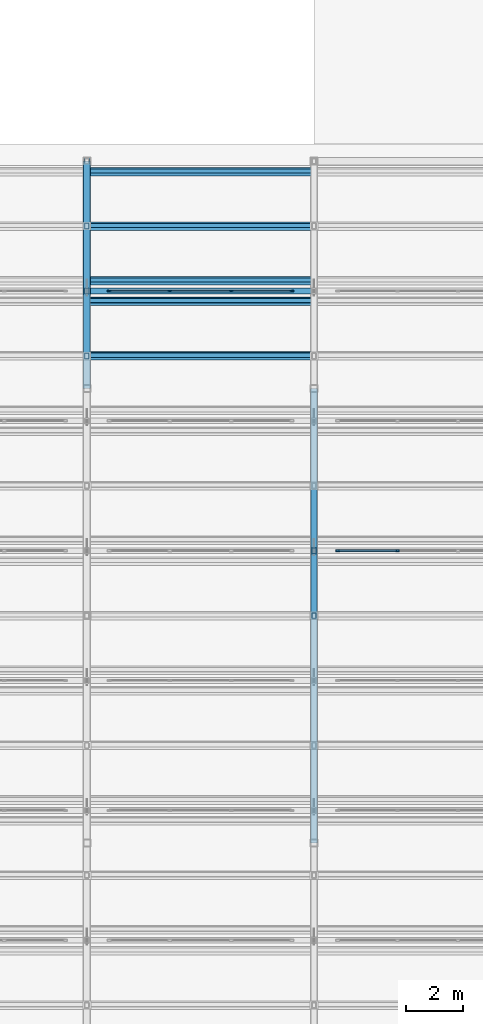
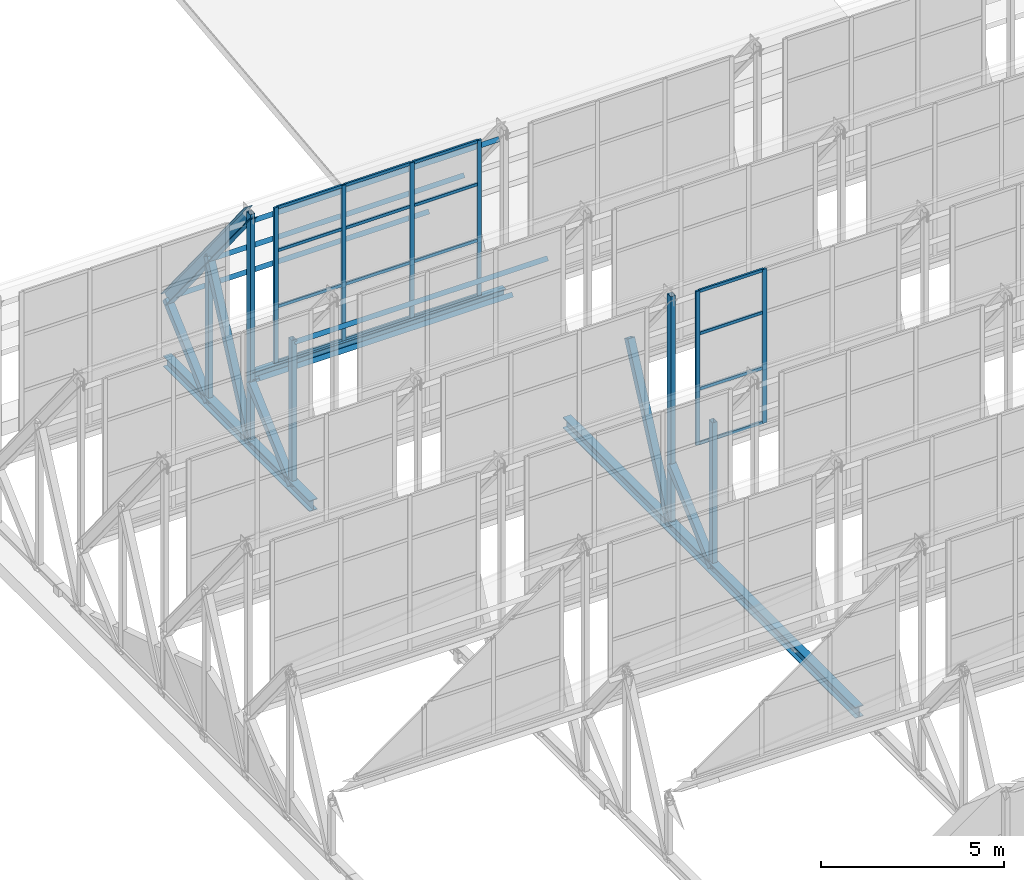
# One storey, part 15 of 34: 38 members, 3 beams, 2 elements without a shape of their own.
"""IFC4 building model written with IfcOpenShell, lengths in metres."""

from ifc_helpers import new_model, si_unit, direction, frame, origin, origin_2d, place, context, subcontext, project, spatial, rectangle, hollow_rectangle, i_section, extrude, material, layer, layer_set, material_profile, profile_set, type_object, element, aggregate, save


model = new_model("IFC4")

# Units and contexts
model_context = context("Model", 3, precision=1e-05, world=origin(), true_north=direction((0.0, 1.0)))
body_context = subcontext(model_context, "Body", "Model", "MODEL_VIEW")
ifc_project = project(units=[si_unit("LENGTHUNIT", "METRE"), si_unit("AREAUNIT", "SQUARE_METRE"), si_unit("VOLUMEUNIT", "CUBIC_METRE"), si_unit("PLANEANGLEUNIT", "RADIAN"), si_unit("MASSUNIT", "GRAM", prefix="KILO")], contexts=[model_context])

# Site, building, storey
site_placement = place(None, origin())
site = spatial("IfcSite", under=ifc_project, at=site_placement, CompositionType="ELEMENT")
building_placement = place(site_placement, origin())
building = spatial("IfcBuilding", under=site, at=building_placement, Name="Qorikala Patio Media Centre", CompositionType="ELEMENT")
storey_placement = place(building_placement, frame((0.0, 0.0, 32.699951171875)))
storey = spatial("IfcBuildingStorey", under=building, at=storey_placement, Name="RF", CompositionType="ELEMENT", Elevation=32.699951171875)

# Members
ifc_material_1 = material(Name="Steel S355", Category="steel")
ifc_material_profile_1 = material_profile(ifc_material_1, hollow_rectangle(XDim=0.219970703125, YDim=0.219970703125, WallThickness=0.010009765625, at=origin_2d()), Name="HSS220X220X10")
ifc_profile_set_1 = profile_set([ifc_material_profile_1], Name="Steel S355")
member_type_1 = type_object("IfcMemberType", Name="BRACE-HSS220", PredefinedType="BRACE", material=ifc_profile_set_1)
member_1_placement = place(storey_placement, frame((11.0, 28.142822265625, 0.35009765625), z_axis=(0.0, 0.744431778243, 0.667698530432), x_axis=(-1.0, 0.0, 0.0)))
element("IfcMember", 1, at=member_1_placement, inside=storey, type_object=member_type_1, Name="SAW-V1 Truss 2 Bay 6 Web Diagonal 2", PredefinedType="BRACE", context=body_context, shape_type="SweptSolid", body=[
    extrude(hollow_rectangle(XDim=0.219970703125, YDim=0.219970703125, WallThickness=0.010009765625, at=origin_2d()), origin(), (0.0, 0.0, 1.0), 3.0703125),
])
member_2_placement = place(storey_placement, frame((11.0, 30.4287109375, 0.35009765625), z_axis=(0.0, 0.424508225487, 0.905424081022), x_axis=(-1.0, 0.0, 0.0)))
element("IfcMember", 2, at=member_2_placement, inside=storey, type_object=member_type_1, Name="SAW-V1 Truss 2 Bay 7 Web Diagonal 1", PredefinedType="BRACE", context=body_context, shape_type="SweptSolid", body=[
    extrude(hollow_rectangle(XDim=0.219970703125, YDim=0.219970703125, WallThickness=0.010009765625, at=origin_2d()), origin(), (0.0, 0.0, 1.0), 5.38427734375),
])
for number, where, z_axis, x_axis, name in (
    (3, (11.0, 32.71435546875, 0.35009765625), (0.0, 0.744431778243, 0.667698530432), (-1.0, 0.0, 0.0), "SAW-V1 Truss 2 Bay 7 Web Diagonal 2"),
    (4, (19.0, 19.0, 0.35009765625), (0.0, 0.744431778243, 0.667698530432), (-1.0, 0.0, 0.0), "SAW-V1 Truss 3 Bay 4 Web Diagonal 2"),
):
    element("IfcMember", number, at=place(storey_placement, frame(where, z_axis=z_axis, x_axis=x_axis)), inside=storey, type_object=member_type_1, Name=name, PredefinedType="BRACE", context=body_context, shape_type="SweptSolid", body=[
        extrude(hollow_rectangle(XDim=0.219970703125, YDim=0.219970703125, WallThickness=0.010009765625, at=origin_2d()), origin(), (0.0, 0.0, 1.0), 3.0703125),
    ])
member_3_placement = place(storey_placement, frame((19.0, 21.28564453125, 0.35009765625), z_axis=(0.0, 0.424508225487, 0.905424081022), x_axis=(-1.0, 0.0, 0.0)))
element("IfcMember", 5, at=member_3_placement, inside=storey, type_object=member_type_1, Name="SAW-V1 Truss 3 Bay 5 Web Diagonal 1", PredefinedType="BRACE", context=body_context, shape_type="SweptSolid", body=[
    extrude(hollow_rectangle(XDim=0.219970703125, YDim=0.219970703125, WallThickness=0.010009765625, at=origin_2d()), origin(), (0.0, 0.0, 1.0), 5.38427734375),
])
ifc_material_profile_2 = material_profile(ifc_material_1, i_section(OverallWidth=0.257080078125, OverallDepth=0.363037109375, WebThickness=0.012939453125, FlangeThickness=0.021728515625, at=origin_2d()), Name="W360X122")
ifc_profile_set_2 = profile_set([ifc_material_profile_2], Name="Steel S355")
member_type_2 = type_object("IfcMemberType", Name="CHORD-W360X122", PredefinedType="CHORD", material=ifc_profile_set_2)
member_4_placement = place(storey_placement, frame((11.0, 30.4287109375, 8.050048828125), z_axis=(0.0, 0.628995268707, -0.777409127773), x_axis=(-1.0, 0.0, 0.0)))
element("IfcMember", 6, at=member_4_placement, inside=storey, type_object=member_type_2, Name="SAW-V1 Truss 2 Bay 7 Sloped Top Chord", PredefinedType="CHORD", context=body_context, shape_type="SweptSolid", body=[
    extrude(i_section(OverallWidth=0.257080078125, OverallDepth=0.363037109375, WebThickness=0.012939453125, FlangeThickness=0.021728515625, at=origin_2d()), origin(), (0.0, 0.0, 1.0), 7.267578125),
])

# Curtain wall, members
ifc_material_2 = material(Name="Bronze Anodised Aluminium and Low-E Glass", Category="aluminium")
ifc_layer_1 = layer(ifc_material_2, 0.159912109375)
ifc_layer_set_1 = layer_set([ifc_layer_1], Name="Bronze Anodised Aluminium and Low-E Glass")
curtain_wall_type_1 = type_object("IfcCurtainWallType", Name="CW-SAW-640X514", PredefinedType="USERDEFINED", material=ifc_layer_set_1)
curtain_wall_1_placement = place(storey_placement, origin())
curtain_wall_1 = element("IfcCurtainWall", 7, at=curtain_wall_1_placement, inside=storey, type_object=curtain_wall_type_1, Name="RF Sawtooth Glazing 129", ObjectType="SAWTOOTH GLAZING", PredefinedType="USERDEFINED")
ifc_material_3 = material(Name="Bronze Anodised Aluminium", Category="aluminium")
ifc_material_profile_3 = material_profile(ifc_material_3, rectangle(XDim=0.06005859375, YDim=0.1298828125, at=origin_2d()), Name="ALU MULLION 60x130")
ifc_profile_set_3 = profile_set([ifc_material_profile_3], Name="Bronze Anodised Aluminium")
member_type_3 = type_object("IfcMemberType", Name="CWM-60X130", PredefinedType="MULLION", material=ifc_profile_set_3)
member_5_placement = place(storey_placement, frame((19.830078125, 21.28564453125, 2.75), z_axis=(0.0, 0.0, 1.0), x_axis=(0.0, 1.0, 0.0)))
member_5 = element("IfcMember", 8, at=member_5_placement, type_object=member_type_3, Name="CWS640514 mullion 1", PredefinedType="MULLION", context=body_context, shape_type="SweptSolid", body=[
    extrude(rectangle(XDim=0.06005859375, YDim=0.1298828125, at=origin_2d()), origin(), (0.0, 0.0, 1.0), 5.14013671875),
])
member_6_placement = place(storey_placement, frame((21.933349609375, 21.28564453125, 2.75), z_axis=(0.0, 0.0, 1.0), x_axis=(0.0, 1.0, 0.0)))
member_6 = element("IfcMember", 9, at=member_6_placement, type_object=member_type_3, Name="CWS640514 mullion 2", PredefinedType="MULLION", context=body_context, shape_type="SweptSolid", body=[
    extrude(rectangle(XDim=0.06005859375, YDim=0.1298828125, at=origin_2d()), origin(), (0.0, 0.0, 1.0), 5.14013671875),
])

ifc_layer_2 = layer(ifc_material_2, 0.159912109375)
ifc_layer_set_2 = layer_set([ifc_layer_2], Name="Bronze Anodised Aluminium and Low-E Glass")
curtain_wall_type_2 = type_object("IfcCurtainWallType", Name="CW-SAW-648X520", PredefinedType="USERDEFINED", material=ifc_layer_set_2)
curtain_wall_2_placement = place(storey_placement, origin())
curtain_wall_2 = element("IfcCurtainWall", 10, at=curtain_wall_2_placement, inside=storey, type_object=curtain_wall_type_2, Name="RF Sawtooth Glazing 138", ObjectType="SAWTOOTH GLAZING", PredefinedType="USERDEFINED")
member_7_placement = place(storey_placement, frame((11.7900390625, 30.4287109375, 2.75), z_axis=(0.0, 0.0, 1.0), x_axis=(0.0, 1.0, 0.0)))
member_7 = element("IfcMember", 11, at=member_7_placement, type_object=member_type_3, Name="CWS648520 mullion 1", PredefinedType="MULLION", context=body_context, shape_type="SweptSolid", body=[
    extrude(rectangle(XDim=0.06005859375, YDim=0.1298828125, at=origin_2d()), origin(), (0.0, 0.0, 1.0), 5.199951171875),
])
member_8_placement = place(storey_placement, frame((13.919921875, 30.4287109375, 2.75), z_axis=(0.0, 0.0, 1.0), x_axis=(0.0, 1.0, 0.0)))
member_8 = element("IfcMember", 12, at=member_8_placement, type_object=member_type_3, Name="CWS648520 mullion 2", PredefinedType="MULLION", context=body_context, shape_type="SweptSolid", body=[
    extrude(rectangle(XDim=0.06005859375, YDim=0.1298828125, at=origin_2d()), origin(), (0.0, 0.0, 1.0), 5.199951171875),
])
member_9_placement = place(storey_placement, frame((16.080078125, 30.4287109375, 2.75), z_axis=(0.0, 0.0, 1.0), x_axis=(0.0, 1.0, 0.0)))
member_9 = element("IfcMember", 13, at=member_9_placement, type_object=member_type_3, Name="CWS648520 mullion 3", PredefinedType="MULLION", context=body_context, shape_type="SweptSolid", body=[
    extrude(rectangle(XDim=0.06005859375, YDim=0.1298828125, at=origin_2d()), origin(), (0.0, 0.0, 1.0), 5.199951171875),
])
member_10_placement = place(storey_placement, frame((18.2099609375, 30.4287109375, 2.75), z_axis=(0.0, 0.0, 1.0), x_axis=(0.0, 1.0, 0.0)))
member_10 = element("IfcMember", 14, at=member_10_placement, type_object=member_type_3, Name="CWS648520 mullion 4", PredefinedType="MULLION", context=body_context, shape_type="SweptSolid", body=[
    extrude(rectangle(XDim=0.06005859375, YDim=0.1298828125, at=origin_2d()), origin(), (0.0, 0.0, 1.0), 5.199951171875),
])

# Member
ifc_material_profile_4 = material_profile(ifc_material_3, rectangle(XDim=0.06005859375, YDim=0.10009765625, at=origin_2d()), Name="ALU TRANSOM 60x100")
ifc_profile_set_4 = profile_set([ifc_material_profile_4], Name="Bronze Anodised Aluminium")
member_type_4 = type_object("IfcMemberType", Name="CWT-60X100", PredefinedType="USERDEFINED", material=ifc_profile_set_4)
member_11_placement = place(storey_placement, frame((19.860107421875, 21.28564453125, 2.780029296875), z_axis=(1.0, 0.0, 0.0), x_axis=(0.0, 1.0, 0.0)))
member_11 = element("IfcMember", 15, at=member_11_placement, type_object=member_type_4, Name="CWS640514 transom 1.1", ObjectType="TRANSOM", PredefinedType="USERDEFINED", context=body_context, shape_type="SweptSolid", body=[
    extrude(rectangle(XDim=0.06005859375, YDim=0.10009765625, at=origin_2d()), origin(), (0.0, 0.0, 1.0), 2.043212890625),
])

member_12_placement = place(storey_placement, frame((19.860107421875, 21.28564453125, 4.600341796875), z_axis=(1.0, 0.0, 0.0), x_axis=(0.0, 1.0, 0.0)))
member_12 = element("IfcMember", 16, at=member_12_placement, type_object=member_type_4, Name="CWS640514 transom 1.2", ObjectType="TRANSOM", PredefinedType="USERDEFINED", context=body_context, shape_type="SweptSolid", body=[
    extrude(rectangle(XDim=0.06005859375, YDim=0.10009765625, at=origin_2d()), origin(), (0.0, 0.0, 1.0), 2.043212890625),
])

member_13_placement = place(storey_placement, frame((19.860107421875, 21.28564453125, 6.450927734375), z_axis=(1.0, 0.0, 0.0), x_axis=(0.0, 1.0, 0.0)))
member_13 = element("IfcMember", 17, at=member_13_placement, type_object=member_type_4, Name="CWS640514 transom 1.3", ObjectType="TRANSOM", PredefinedType="USERDEFINED", context=body_context, shape_type="SweptSolid", body=[
    extrude(rectangle(XDim=0.06005859375, YDim=0.10009765625, at=origin_2d()), origin(), (0.0, 0.0, 1.0), 2.043212890625),
])

member_14_placement = place(storey_placement, frame((19.860107421875, 21.28564453125, 7.860107421875), z_axis=(1.0, 0.0, 0.0), x_axis=(0.0, 1.0, 0.0)))
member_14 = element("IfcMember", 18, at=member_14_placement, type_object=member_type_4, Name="CWS640514 transom 1.4", ObjectType="TRANSOM", PredefinedType="USERDEFINED", context=body_context, shape_type="SweptSolid", body=[
    extrude(rectangle(XDim=0.06005859375, YDim=0.10009765625, at=origin_2d()), origin(), (0.0, 0.0, 1.0), 2.043212890625),
])

aggregate(curtain_wall_1, [member_5, member_6, member_11, member_12, member_13, member_14])

member_15_placement = place(storey_placement, frame((11.820068359375, 30.4287109375, 2.780029296875), z_axis=(1.0, 0.0, 0.0), x_axis=(0.0, 1.0, 0.0)))
member_15 = element("IfcMember", 19, at=member_15_placement, type_object=member_type_4, Name="CWS648520 transom 1.1", ObjectType="TRANSOM", PredefinedType="USERDEFINED", context=body_context, shape_type="SweptSolid", body=[
    extrude(rectangle(XDim=0.06005859375, YDim=0.10009765625, at=origin_2d()), origin(), (0.0, 0.0, 1.0), 2.06982421875),
])

member_16_placement = place(storey_placement, frame((11.820068359375, 30.4287109375, 4.6220703125), z_axis=(1.0, 0.0, 0.0), x_axis=(0.0, 1.0, 0.0)))
member_16 = element("IfcMember", 20, at=member_16_placement, type_object=member_type_4, Name="CWS648520 transom 1.2", ObjectType="TRANSOM", PredefinedType="USERDEFINED", context=body_context, shape_type="SweptSolid", body=[
    extrude(rectangle(XDim=0.06005859375, YDim=0.10009765625, at=origin_2d()), origin(), (0.0, 0.0, 1.0), 2.06982421875),
])

member_17_placement = place(storey_placement, frame((11.820068359375, 30.4287109375, 6.494140625), z_axis=(1.0, 0.0, 0.0), x_axis=(0.0, 1.0, 0.0)))
member_17 = element("IfcMember", 21, at=member_17_placement, type_object=member_type_4, Name="CWS648520 transom 1.3", ObjectType="TRANSOM", PredefinedType="USERDEFINED", context=body_context, shape_type="SweptSolid", body=[
    extrude(rectangle(XDim=0.06005859375, YDim=0.10009765625, at=origin_2d()), origin(), (0.0, 0.0, 1.0), 2.06982421875),
])

member_18_placement = place(storey_placement, frame((11.820068359375, 30.4287109375, 7.920166015625), z_axis=(1.0, 0.0, 0.0), x_axis=(0.0, 1.0, 0.0)))
member_18 = element("IfcMember", 22, at=member_18_placement, type_object=member_type_4, Name="CWS648520 transom 1.4", ObjectType="TRANSOM", PredefinedType="USERDEFINED", context=body_context, shape_type="SweptSolid", body=[
    extrude(rectangle(XDim=0.06005859375, YDim=0.10009765625, at=origin_2d()), origin(), (0.0, 0.0, 1.0), 2.06982421875),
])

member_19_placement = place(storey_placement, frame((13.949951171875, 30.4287109375, 2.780029296875), z_axis=(1.0, 0.0, 0.0), x_axis=(0.0, 1.0, 0.0)))
member_19 = element("IfcMember", 23, at=member_19_placement, type_object=member_type_4, Name="CWS648520 transom 2.1", ObjectType="TRANSOM", PredefinedType="USERDEFINED", context=body_context, shape_type="SweptSolid", body=[
    extrude(rectangle(XDim=0.06005859375, YDim=0.10009765625, at=origin_2d()), origin(), (0.0, 0.0, 1.0), 2.10009765625),
])

member_20_placement = place(storey_placement, frame((13.949951171875, 30.4287109375, 4.6220703125), z_axis=(1.0, 0.0, 0.0), x_axis=(0.0, 1.0, 0.0)))
member_20 = element("IfcMember", 24, at=member_20_placement, type_object=member_type_4, Name="CWS648520 transom 2.2", ObjectType="TRANSOM", PredefinedType="USERDEFINED", context=body_context, shape_type="SweptSolid", body=[
    extrude(rectangle(XDim=0.06005859375, YDim=0.10009765625, at=origin_2d()), origin(), (0.0, 0.0, 1.0), 2.10009765625),
])

member_21_placement = place(storey_placement, frame((13.949951171875, 30.4287109375, 6.494140625), z_axis=(1.0, 0.0, 0.0), x_axis=(0.0, 1.0, 0.0)))
member_21 = element("IfcMember", 25, at=member_21_placement, type_object=member_type_4, Name="CWS648520 transom 2.3", ObjectType="TRANSOM", PredefinedType="USERDEFINED", context=body_context, shape_type="SweptSolid", body=[
    extrude(rectangle(XDim=0.06005859375, YDim=0.10009765625, at=origin_2d()), origin(), (0.0, 0.0, 1.0), 2.10009765625),
])

member_22_placement = place(storey_placement, frame((13.949951171875, 30.4287109375, 7.920166015625), z_axis=(1.0, 0.0, 0.0), x_axis=(0.0, 1.0, 0.0)))
member_22 = element("IfcMember", 26, at=member_22_placement, type_object=member_type_4, Name="CWS648520 transom 2.4", ObjectType="TRANSOM", PredefinedType="USERDEFINED", context=body_context, shape_type="SweptSolid", body=[
    extrude(rectangle(XDim=0.06005859375, YDim=0.10009765625, at=origin_2d()), origin(), (0.0, 0.0, 1.0), 2.10009765625),
])

member_23_placement = place(storey_placement, frame((16.110107421875, 30.4287109375, 2.780029296875), z_axis=(1.0, 0.0, 0.0), x_axis=(0.0, 1.0, 0.0)))
member_23 = element("IfcMember", 27, at=member_23_placement, type_object=member_type_4, Name="CWS648520 transom 3.1", ObjectType="TRANSOM", PredefinedType="USERDEFINED", context=body_context, shape_type="SweptSolid", body=[
    extrude(rectangle(XDim=0.06005859375, YDim=0.10009765625, at=origin_2d()), origin(), (0.0, 0.0, 1.0), 2.06982421875),
])

member_24_placement = place(storey_placement, frame((16.110107421875, 30.4287109375, 4.6220703125), z_axis=(1.0, 0.0, 0.0), x_axis=(0.0, 1.0, 0.0)))
member_24 = element("IfcMember", 28, at=member_24_placement, type_object=member_type_4, Name="CWS648520 transom 3.2", ObjectType="TRANSOM", PredefinedType="USERDEFINED", context=body_context, shape_type="SweptSolid", body=[
    extrude(rectangle(XDim=0.06005859375, YDim=0.10009765625, at=origin_2d()), origin(), (0.0, 0.0, 1.0), 2.06982421875),
])

member_25_placement = place(storey_placement, frame((16.110107421875, 30.4287109375, 6.494140625), z_axis=(1.0, 0.0, 0.0), x_axis=(0.0, 1.0, 0.0)))
member_25 = element("IfcMember", 29, at=member_25_placement, type_object=member_type_4, Name="CWS648520 transom 3.3", ObjectType="TRANSOM", PredefinedType="USERDEFINED", context=body_context, shape_type="SweptSolid", body=[
    extrude(rectangle(XDim=0.06005859375, YDim=0.10009765625, at=origin_2d()), origin(), (0.0, 0.0, 1.0), 2.06982421875),
])

member_26_placement = place(storey_placement, frame((16.110107421875, 30.4287109375, 7.920166015625), z_axis=(1.0, 0.0, 0.0), x_axis=(0.0, 1.0, 0.0)))
member_26 = element("IfcMember", 30, at=member_26_placement, type_object=member_type_4, Name="CWS648520 transom 3.4", ObjectType="TRANSOM", PredefinedType="USERDEFINED", context=body_context, shape_type="SweptSolid", body=[
    extrude(rectangle(XDim=0.06005859375, YDim=0.10009765625, at=origin_2d()), origin(), (0.0, 0.0, 1.0), 2.06982421875),
])

aggregate(curtain_wall_2, [member_7, member_8, member_9, member_10, member_15, member_16, member_17, member_18, member_19, member_20, member_21, member_22, member_23, member_24, member_25, member_26])

# Members
ifc_material_profile_5 = material_profile(ifc_material_1, i_section(OverallWidth=0.14794921875, OverallDepth=0.26611328125, WebThickness=0.007568359375, FlangeThickness=0.012939453125, at=origin_2d()), Name="W250X45")
ifc_profile_set_5 = profile_set([ifc_material_profile_5], Name="Steel S355")
member_type_5 = type_object("IfcMemberType", Name="PURLIN-W250X45", PredefinedType="PURLIN", material=ifc_profile_set_5)
for number, where, z_axis, x_axis, name in (
    (31, (11.0, 28.142822265625, 5.077392578125), (1.0, 0.0, 0.0), (0.0, 0.62899480571, 0.777409502379), "SAW-V1 Bay 6 Roof Purlin"),
    (32, (11.0, 30.062744140625, 2.704345703125), (1.0, 0.0, 0.0), (0.0, 0.62899480571, 0.777409502379), "SAW-V1 Bay 6 Roof Purlin"),
    (33, (11.0, 30.794189453125, 7.450439453125), (1.0, 0.0, 0.0), (0.0, 0.62899480571, 0.777409502379), "SAW-V1 Bay 7 Roof Purlin"),
    (34, (11.0, 32.71435546875, 5.077392578125), (1.0, 0.0, 0.0), (0.0, 0.62899480571, 0.777409502379), "SAW-V1 Bay 7 Roof Purlin"),
    (35, (11.0, 34.63427734375, 2.704345703125), (1.0, 0.0, 0.0), (0.0, 0.62899480571, 0.777409502379), "SAW-V1 Bay 7 Roof Purlin"),
):
    element("IfcMember", number, at=place(storey_placement, frame(where, z_axis=z_axis, x_axis=x_axis)), inside=storey, type_object=member_type_5, Name=name, PredefinedType="PURLIN", context=body_context, shape_type="SweptSolid", body=[
        extrude(i_section(OverallWidth=0.14794921875, OverallDepth=0.26611328125, WebThickness=0.007568359375, FlangeThickness=0.012939453125, at=origin_2d()), origin(), (0.0, 0.0, 1.0), 8.0),
    ])

# Beams
ifc_material_profile_6 = material_profile(ifc_material_1, i_section(OverallWidth=0.202880859375, OverallDepth=0.251953125, WebThickness=0.008056640625, FlangeThickness=0.013427734375, at=origin_2d()), Name="W250X58")
ifc_profile_set_6 = profile_set([ifc_material_profile_6], Name="Steel S355")
beam_type_1 = type_object("IfcBeamType", Name="SBM-W250X58", PredefinedType="BEAM", material=ifc_profile_set_6)
beam_1_placement = place(storey_placement, frame((11.0, 30.4287109375, 2.625), z_axis=(1.0, 0.0, 0.0), x_axis=(0.0, 1.0, 0.0)))
element("IfcBeam", 36, at=beam_1_placement, inside=storey, type_object=beam_type_1, Name="Sawtooth V1 Clerestory Sill Beam 7.2", PredefinedType="BEAM", context=body_context, shape_type="SweptSolid", body=[
    extrude(i_section(OverallWidth=0.202880859375, OverallDepth=0.251953125, WebThickness=0.008056640625, FlangeThickness=0.013427734375, at=origin_2d()), origin(), (0.0, 0.0, 1.0), 8.0),
])
ifc_material_profile_7 = material_profile(ifc_material_1, i_section(OverallWidth=0.257080078125, OverallDepth=0.363037109375, WebThickness=0.012939453125, FlangeThickness=0.021728515625, at=origin_2d()), Name="W360X122")
ifc_profile_set_7 = profile_set([ifc_material_profile_7], Name="Steel S355")
beam_type_2 = type_object("IfcBeamType", Name="SBM-W360X122", PredefinedType="BEAM", material=ifc_profile_set_7)
beam_2_placement = place(storey_placement, frame((11.0, 27.0, 0.35009765625), z_axis=(0.0, 1.0, 0.0), x_axis=(-1.0, 0.0, 0.0)))
element("IfcBeam", 37, at=beam_2_placement, inside=storey, type_object=beam_type_2, Name="SAW-V1 Longitudinal Truss Tie Girder X=11", PredefinedType="BEAM", context=body_context, shape_type="SweptSolid", body=[
    extrude(i_section(OverallWidth=0.257080078125, OverallDepth=0.363037109375, WebThickness=0.012939453125, FlangeThickness=0.021728515625, at=origin_2d()), origin(), (0.0, 0.0, 1.0), 8.0),
])
beam_3_placement = place(storey_placement, frame((19.0, 11.0, 0.35009765625), z_axis=(0.0, 1.0, 0.0), x_axis=(-1.0, 0.0, 0.0)))
element("IfcBeam", 38, at=beam_3_placement, inside=storey, type_object=beam_type_2, Name="SAW-V1 Longitudinal Truss Tie Girder X=19", PredefinedType="BEAM", context=body_context, shape_type="SweptSolid", body=[
    extrude(i_section(OverallWidth=0.257080078125, OverallDepth=0.363037109375, WebThickness=0.012939453125, FlangeThickness=0.021728515625, at=origin_2d()), origin(), (0.0, 0.0, 1.0), 16.0),
])

# Members
ifc_material_profile_8 = material_profile(ifc_material_1, hollow_rectangle(XDim=0.14990234375, YDim=0.199951171875, WallThickness=0.008056640625, at=origin_2d()), Name="HSS200X150X8")
ifc_profile_set_8 = profile_set([ifc_material_profile_8], Name="Steel S355")
member_type_6 = type_object("IfcMemberType", Name="STRUT-HSS200", PredefinedType="STRUT", material=ifc_profile_set_8)
member_27_placement = place(storey_placement, frame((11.0, 28.142822265625, 0.35009765625), z_axis=(0.0, 0.0, 1.0), x_axis=(1.0, 0.0, 0.0)))
element("IfcMember", 39, at=member_27_placement, inside=storey, type_object=member_type_6, Name="SAW-V1 Truss 2 Bay 6 Mid Strut", PredefinedType="STRUT", context=body_context, shape_type="SweptSolid", body=[
    extrude(hollow_rectangle(XDim=0.14990234375, YDim=0.199951171875, WallThickness=0.008056640625, at=origin_2d()), origin(), (0.0, 0.0, 1.0), 4.875),
])
member_28_placement = place(storey_placement, frame((11.0, 30.4287109375, 0.35009765625), z_axis=(0.0, 0.0, 1.0), x_axis=(1.0, 0.0, 0.0)))
element("IfcMember", 40, at=member_28_placement, inside=storey, type_object=member_type_6, Name="SAW-V1 Truss 2 Bay 7 Clerestory Post", PredefinedType="STRUT", context=body_context, shape_type="SweptSolid", body=[
    extrude(hollow_rectangle(XDim=0.14990234375, YDim=0.199951171875, WallThickness=0.008056640625, at=origin_2d()), origin(), (0.0, 0.0, 1.0), 7.699951171875),
])
for number, where, z_axis, x_axis, name in (
    (41, (11.0, 32.71435546875, 0.35009765625), (0.0, 0.0, 1.0), (1.0, 0.0, 0.0), "SAW-V1 Truss 2 Bay 7 Mid Strut"),
    (42, (19.0, 19.0, 0.35009765625), (0.0, 0.0, 1.0), (1.0, 0.0, 0.0), "SAW-V1 Truss 3 Bay 4 Mid Strut"),
):
    element("IfcMember", number, at=place(storey_placement, frame(where, z_axis=z_axis, x_axis=x_axis)), inside=storey, type_object=member_type_6, Name=name, PredefinedType="STRUT", context=body_context, shape_type="SweptSolid", body=[
        extrude(hollow_rectangle(XDim=0.14990234375, YDim=0.199951171875, WallThickness=0.008056640625, at=origin_2d()), origin(), (0.0, 0.0, 1.0), 4.875),
    ])
member_29_placement = place(storey_placement, frame((19.0, 21.28564453125, 0.35009765625), z_axis=(0.0, 0.0, 1.0), x_axis=(1.0, 0.0, 0.0)))
element("IfcMember", 43, at=member_29_placement, inside=storey, type_object=member_type_6, Name="SAW-V1 Truss 3 Bay 5 Clerestory Post", PredefinedType="STRUT", context=body_context, shape_type="SweptSolid", body=[
    extrude(hollow_rectangle(XDim=0.14990234375, YDim=0.199951171875, WallThickness=0.008056640625, at=origin_2d()), origin(), (0.0, 0.0, 1.0), 7.699951171875),
])

save(model, "model.ifc")
